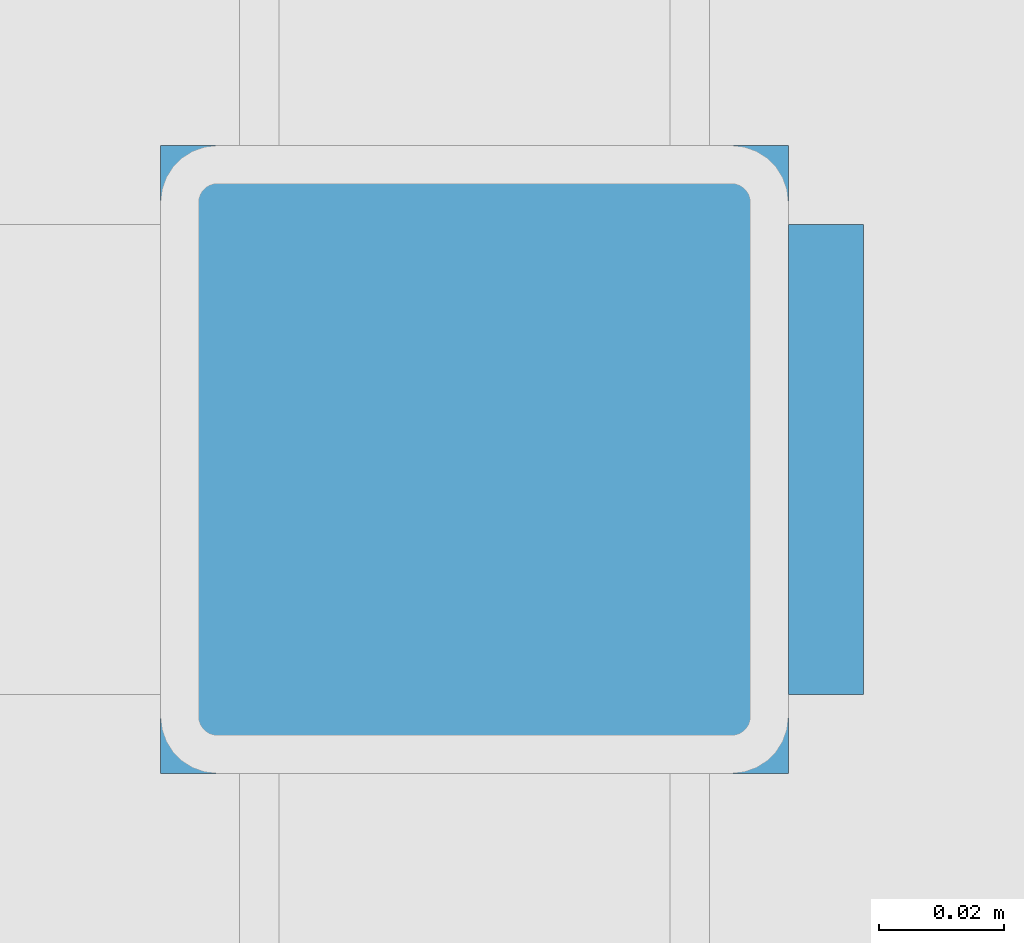
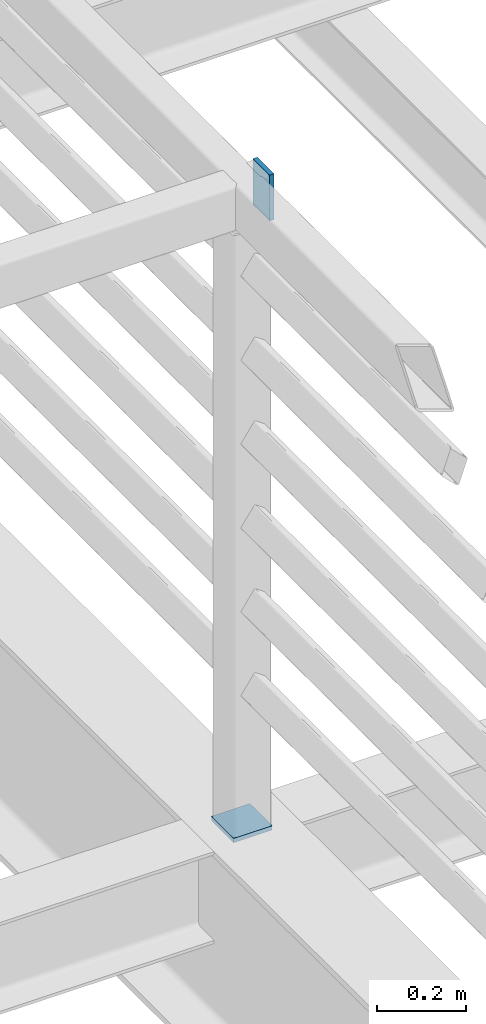
# One storey, part 44 of 57: 2 discrete accessories.
"""IFC4 building model written with IfcOpenShell, lengths in metres."""

from ifc_helpers import new_model, si_unit, direction, frame, origin, origin_2d, place, context, subcontext, project, spatial, rectangle, extrude, material, material_profile, profile_set, type_object, element, save


model = new_model("IFC4")

# Units and contexts
model_context = context("Model", 3, precision=1e-05, world=origin(), true_north=direction((0.0, 1.0)))
body_context = subcontext(model_context, "Body", "Model", "MODEL_VIEW")
ifc_project = project(units=[si_unit("LENGTHUNIT", "METRE"), si_unit("AREAUNIT", "SQUARE_METRE"), si_unit("VOLUMEUNIT", "CUBIC_METRE"), si_unit("PLANEANGLEUNIT", "RADIAN"), si_unit("MASSUNIT", "GRAM", prefix="KILO")], contexts=[model_context])

# Site, building, storey
site_placement = place(None, origin())
site = spatial("IfcSite", under=ifc_project, at=site_placement, CompositionType="ELEMENT")
building_placement = place(site_placement, origin())
building = spatial("IfcBuilding", under=site, at=building_placement, Name="Saffron Lane Theatres", CompositionType="ELEMENT")
storey_placement = place(building_placement, frame((0.0, 0.0, 28.0)))
storey = spatial("IfcBuildingStorey", under=building, at=storey_placement, Name="Upper Roof", CompositionType="ELEMENT", Elevation=28.0)

# Discrete accessories
ifc_material_1 = material(Name="Steel Grade 350", Category="steel")
ifc_material_profile_1 = material_profile(ifc_material_1, rectangle(XDim=0.10009765625, YDim=0.10009765625, at=origin_2d()))
ifc_profile_set_1 = profile_set([ifc_material_profile_1], Name="Steel Grade 350")
discrete_accessory_type_1 = type_object("IfcDiscreteAccessoryType", Name="ST-STEEL END CAP 100x100x6 SHS", PredefinedType="ANCHORPLATE", material=ifc_profile_set_1)
discrete_accessory_1_placement = place(storey_placement, frame((42.0, 42.25, 8.837890625), z_axis=(0.0, 0.0, 1.0), x_axis=(1.0, 0.0, 0.0)))
element("IfcDiscreteAccessory", 1, at=discrete_accessory_1_placement, inside=storey, type_object=discrete_accessory_type_1, Name="EC125", PredefinedType="ANCHORPLATE", context=body_context, shape_type="SweptSolid", body=[
    extrude(rectangle(XDim=0.10009765625, YDim=0.10009765625, at=origin_2d()), origin(), (0.0, 0.0, 1.0), 0.01220703125),
])
ifc_material_2 = material(Name="Steel Grade 350", Category="steel")
ifc_material_profile_2 = material_profile(ifc_material_2, rectangle(XDim=0.074951171875, YDim=0.125, at=origin_2d()))
ifc_profile_set_2 = profile_set([ifc_material_profile_2], Name="Steel Grade 350")
discrete_accessory_type_2 = type_object("IfcDiscreteAccessoryType", Name="ST-STEEL END CAP 125x75x5 RHS", PredefinedType="ANCHORPLATE", material=ifc_profile_set_2)
discrete_accessory_2_placement = place(storey_placement, frame((42.050048828125, 42.25, 10.5625), z_axis=(1.0, 0.0, 0.0), x_axis=(0.0, 1.0, 0.0)))
element("IfcDiscreteAccessory", 2, at=discrete_accessory_2_placement, inside=storey, type_object=discrete_accessory_type_2, Name="EC130", PredefinedType="ANCHORPLATE", context=body_context, shape_type="SweptSolid", body=[
    extrude(rectangle(XDim=0.074951171875, YDim=0.125, at=origin_2d()), origin(), (0.0, 0.0, 1.0), 0.011962890625),
])

save(model, "model.ifc")
